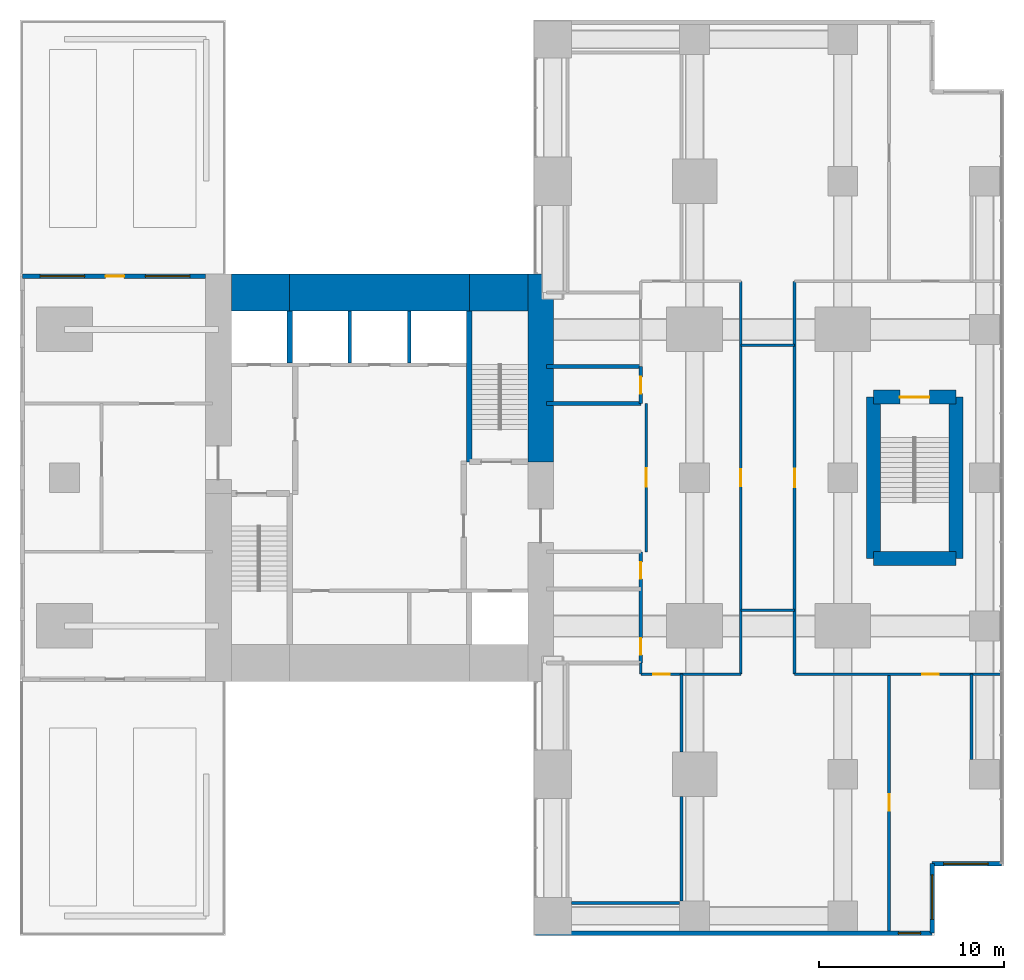
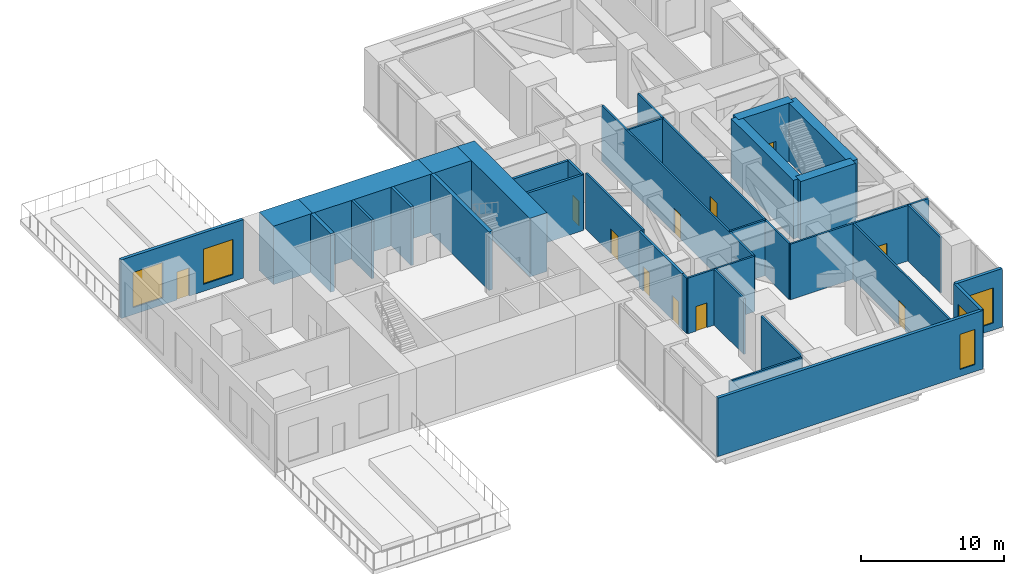
# One storey, part 8 of 10: 33 walls, 11 doors, 5 windows, 16 openings.
"""IFC4 building model written with IfcOpenShell, lengths in metres."""

from ifc_helpers import new_model, si_unit, direction, frame, frame_2d, origin, place, context, subcontext, project, spatial, rectangle, extrude, material, layer, layer_set, type_object, element, fill, save


model = new_model("IFC4")

# Units and contexts
model_context = context("Model", 3, precision=1e-05, world=origin(), true_north=direction((0.0, 1.0)))
body_context = subcontext(model_context, "Body", "Model", "MODEL_VIEW")
ifc_project = project(units=[si_unit("LENGTHUNIT", "METRE"), si_unit("AREAUNIT", "SQUARE_METRE"), si_unit("VOLUMEUNIT", "CUBIC_METRE"), si_unit("PLANEANGLEUNIT", "RADIAN"), si_unit("MASSUNIT", "GRAM", prefix="KILO")], contexts=[model_context])

# Site, building, storey
site_placement = place(None, origin())
site = spatial("IfcSite", under=ifc_project, at=site_placement, CompositionType="ELEMENT")
building_placement = place(site_placement, origin())
building = spatial("IfcBuilding", under=site, at=building_placement, Name="Cleftline Residences", CompositionType="ELEMENT")
storey_placement = place(building_placement, frame((0.0, 0.0, 225.39990234375)))
storey = spatial("IfcBuildingStorey", under=building, at=storey_placement, Name="L59", CompositionType="ELEMENT", Elevation=225.39990234375)

# Walls
ifc_material_1 = material(Name="Concrete B70", Category="concrete")
ifc_layer_1 = layer(ifc_material_1, 1.39990234375)
ifc_layer_set_1 = layer_set([ifc_layer_1], Name="CORE WALL 1400")
wall_type_1 = type_object("IfcWallType", Name="CORE WALL 1400", PredefinedType="SHEAR", material=ifc_layer_set_1)
wall_1_placement = place(storey_placement, frame((41.699951171875, 24.85009765625, 0.0), z_axis=(0.0, 0.0, 1.0), x_axis=(0.0, 1.0, 0.0)))
element("IfcWall", 1, at=wall_1_placement, inside=storey, type_object=wall_type_1, Name="Core wall E1", PredefinedType="SHEAR", context=body_context, shape_type="SweptSolid", body=[
    extrude(rectangle(XDim=10.14990234375, YDim=1.39990234375, at=frame_2d((5.074951171875, 0.0))), origin(), (0.0, 0.0, 1.0), 5.0),
])
ifc_material_2 = material(Name="Concrete B70", Category="concrete")
ifc_layer_2 = layer(ifc_material_2, 2.0)
ifc_layer_set_2 = layer_set([ifc_layer_2], Name="CORE WALL 2000")
wall_type_2 = type_object("IfcWallType", Name="CORE WALL 2000", PredefinedType="SHEAR", material=ifc_layer_set_2)
wall_2_placement = place(storey_placement, frame((25.0, 34.0, 0.0), z_axis=(0.0, 0.0, 1.0), x_axis=(1.0, 0.0, 0.0)))
element("IfcWall", 2, at=wall_2_placement, inside=storey, type_object=wall_type_2, Name="Core wall N1", PredefinedType="SHEAR", context=body_context, shape_type="SweptSolid", body=[
    extrude(rectangle(XDim=3.14990234375, YDim=2.0, at=frame_2d((1.574951171875, 0.0))), origin(), (0.0, 0.0, 1.0), 5.0),
])
wall_3_placement = place(storey_placement, frame((28.14990234375, 34.0, 0.0), z_axis=(0.0, 0.0, 1.0), x_axis=(1.0, 0.0, 0.0)))
element("IfcWall", 3, at=wall_3_placement, inside=storey, type_object=wall_type_2, Name="Core wall N2", PredefinedType="SHEAR", context=body_context, shape_type="SweptSolid", body=[
    extrude(rectangle(XDim=9.7001953125, YDim=2.0, at=frame_2d((4.85009765625, 0.0))), origin(), (0.0, 0.0, 1.0), 5.0),
])
wall_4_placement = place(storey_placement, frame((37.85009765625, 34.0, 0.0), z_axis=(0.0, 0.0, 1.0), x_axis=(1.0, 0.0, 0.0)))
element("IfcWall", 4, at=wall_4_placement, inside=storey, type_object=wall_type_2, Name="Core wall N3", PredefinedType="SHEAR", context=body_context, shape_type="SweptSolid", body=[
    extrude(rectangle(XDim=3.14990234375, YDim=2.0, at=frame_2d((1.574951171875, 0.0))), origin(), (0.0, 0.0, 1.0), 5.0),
])
ifc_material_3 = material(Name="Concrete B70", Category="concrete")
ifc_layer_3 = layer(ifc_material_3, 0.300048828125)
ifc_layer_set_3 = layer_set([ifc_layer_3], Name="CORE WALL 300")
wall_type_3 = type_object("IfcWallType", Name="CORE WALL 300", PredefinedType="SHEAR", material=ifc_layer_set_3)
wall_5_placement = place(storey_placement, frame((37.85009765625, 24.85009765625, 0.0), z_axis=(0.0, 0.0, 1.0), x_axis=(0.0, 1.0, 0.0)))
element("IfcWall", 5, at=wall_5_placement, inside=storey, type_object=wall_type_3, Name="Core wall SB-W", PredefinedType="SHEAR", context=body_context, shape_type="SweptSolid", body=[
    extrude(rectangle(XDim=8.14990234375, YDim=0.300048828125, at=frame_2d((4.074951171875, 0.0))), origin(), (0.0, 0.0, 1.0), 5.0),
])
wall_6_placement = place(storey_placement, frame((28.14990234375, 30.199951171875, 0.0), z_axis=(0.0, 0.0, 1.0), x_axis=(0.0, 1.0, 0.0)))
element("IfcWall", 6, at=wall_6_placement, inside=storey, type_object=wall_type_3, Name="Lift shaft wall", PredefinedType="SHEAR", context=body_context, shape_type="SweptSolid", body=[
    extrude(rectangle(XDim=2.800048828125, YDim=0.300048828125, at=frame_2d((1.39990234375, 0.0))), origin(), (0.0, 0.0, 1.0), 5.0),
])

# Wall, opening, window
ifc_material_4 = material(Name="Rendered reinforced concrete blockwork", Category="masonry")
ifc_layer_4 = layer(ifc_material_4, 0.25)
ifc_layer_set_4 = layer_set([ifc_layer_4], Name="EXTERNAL WALL 250")
wall_type_4 = type_object("IfcWallType", Name="EXTERNAL WALL 250", PredefinedType="SOLIDWALL", material=ifc_layer_set_4)
wall_7_placement = place(storey_placement, frame((41.425048828125, -0.574951171875, 0.0), z_axis=(0.0, 0.0, 1.0), x_axis=(1.0, 0.0, 0.0)))
wall_7 = element("IfcWall", 7, at=wall_7_placement, inside=storey, type_object=wall_type_4, Name="External wall", PredefinedType="SOLIDWALL", context=body_context, shape_type="SweptSolid", body=[
    extrude(rectangle(XDim=21.39990234375, YDim=0.25, at=frame_2d((10.699951171875, 0.0))), origin(), (0.0, 0.0, 1.0), 5.0),
])
opening_1_placement = place(wall_7_placement, frame((19.574951171875, 0.0, 0.60009765625)))
opening_1 = element("IfcOpeningElement", 8, at=opening_1_placement, cuts=wall_7, Name="Opening W5", PredefinedType="OPENING", context=body_context, shape_type="SweptSolid", body=[
    extrude(rectangle(XDim=1.199951171875, YDim=3.0, at=frame_2d((0.60009765625, 1.5))), frame((0.0, 0.135009765625, 0.0), z_axis=(0.0, -1.0, 0.0), x_axis=(1.0, 0.0, 0.0)), (0.0, 0.0, 1.0), 0.27001953125),
])
ifc_material_5 = material(Name="Aluminium frame, clear double glazing", Category="aluminium")
window_type_1 = type_object("IfcWindowType", Name="WINDOW 1200X3000", PartitioningType="DOUBLE_PANEL_VERTICAL", PredefinedType="WINDOW", material=ifc_material_5)
window_1_placement = place(opening_1_placement, origin())
window_1 = element("IfcWindow", 9, at=window_1_placement, inside=storey, type_object=window_type_1, Name="Window", OverallHeight=3.0, OverallWidth=1.199951171875, PartitioningType="SINGLE_PANEL", PredefinedType="WINDOW", context=body_context, shape_type="SweptSolid", body=[
    extrude(rectangle(XDim=1.199951171875, YDim=3.0, at=frame_2d((0.60009765625, 1.5))), frame((0.0, 0.030029296875, 0.0), z_axis=(0.0, -1.0, 0.0), x_axis=(1.0, 0.0, 0.0)), (0.0, 0.0, 1.0), 0.06005859375),
])
fill(opening_1, window_1)

wall_8_placement = place(storey_placement, frame((62.824951171875, -0.574951171875, 0.0), z_axis=(0.0, 0.0, 1.0), x_axis=(0.0, 1.0, 0.0)))
wall_8 = element("IfcWall", 10, at=wall_8_placement, inside=storey, type_object=wall_type_4, Name="External wall", PredefinedType="SOLIDWALL", context=body_context, shape_type="SweptSolid", body=[
    extrude(rectangle(XDim=3.75, YDim=0.25, at=frame_2d((1.875, 0.0))), origin(), (0.0, 0.0, 1.0), 5.0),
])
opening_2_placement = place(wall_8_placement, frame((0.737548828125, 0.0, 0.60009765625)))
opening_2 = element("IfcOpeningElement", 11, at=opening_2_placement, cuts=wall_8, Name="Opening W3", PredefinedType="OPENING", context=body_context, shape_type="SweptSolid", body=[
    extrude(rectangle(XDim=2.39990234375, YDim=3.0, at=frame_2d((1.199951171875, 1.5))), frame((0.0, 0.135009765625, 0.0), z_axis=(0.0, -1.0, 0.0), x_axis=(1.0, 0.0, 0.0)), (0.0, 0.0, 1.0), 0.27001953125),
])
ifc_material_6 = material(Name="Aluminium frame, clear double glazing", Category="aluminium")
window_type_2 = type_object("IfcWindowType", Name="WINDOW 2400X3000", PartitioningType="DOUBLE_PANEL_VERTICAL", PredefinedType="WINDOW", material=ifc_material_6)
window_2_placement = place(opening_2_placement, origin())
window_2 = element("IfcWindow", 12, at=window_2_placement, inside=storey, type_object=window_type_2, Name="Window", OverallHeight=3.0, OverallWidth=2.39990234375, PartitioningType="SINGLE_PANEL", PredefinedType="WINDOW", context=body_context, shape_type="SweptSolid", body=[
    extrude(rectangle(XDim=2.39990234375, YDim=3.0, at=frame_2d((1.199951171875, 1.5))), frame((0.0, 0.030029296875, 0.0), z_axis=(0.0, -1.0, 0.0), x_axis=(1.0, 0.0, 0.0)), (0.0, 0.0, 1.0), 0.06005859375),
])
fill(opening_2, window_2)

wall_9_placement = place(storey_placement, frame((62.824951171875, 3.175048828125, 0.0), z_axis=(0.0, 0.0, 1.0), x_axis=(1.0, 0.0, 0.0)))
wall_9 = element("IfcWall", 13, at=wall_9_placement, inside=storey, type_object=wall_type_4, Name="External wall", PredefinedType="SOLIDWALL", context=body_context, shape_type="SweptSolid", body=[
    extrude(rectangle(XDim=3.75, YDim=0.25, at=frame_2d((1.875, 0.0))), origin(), (0.0, 0.0, 1.0), 5.0),
])
opening_3_placement = place(wall_9_placement, frame((0.612548828125, 0.0, 0.60009765625)))
opening_3 = element("IfcOpeningElement", 14, at=opening_3_placement, cuts=wall_9, Name="Opening W3", PredefinedType="OPENING", context=body_context, shape_type="SweptSolid", body=[
    extrude(rectangle(XDim=2.39990234375, YDim=3.0, at=frame_2d((1.199951171875, 1.5))), frame((0.0, 0.135009765625, 0.0), z_axis=(0.0, -1.0, 0.0), x_axis=(1.0, 0.0, 0.0)), (0.0, 0.0, 1.0), 0.27001953125),
])
window_3_placement = place(opening_3_placement, origin())
window_3 = element("IfcWindow", 15, at=window_3_placement, inside=storey, type_object=window_type_2, Name="Window", OverallHeight=3.0, OverallWidth=2.39990234375, PartitioningType="SINGLE_PANEL", PredefinedType="WINDOW", context=body_context, shape_type="SweptSolid", body=[
    extrude(rectangle(XDim=2.39990234375, YDim=3.0, at=frame_2d((1.199951171875, 1.5))), frame((0.0, 0.030029296875, 0.0), z_axis=(0.0, -1.0, 0.0), x_axis=(1.0, 0.0, 0.0)), (0.0, 0.0, 1.0), 0.06005859375),
])
fill(opening_3, window_3)

# Wall, openings, door, windows
wall_10_placement = place(storey_placement, frame((23.60009765625, 34.875, 0.0), z_axis=(0.0, 0.0, 1.0), x_axis=(-1.0, 0.0, 0.0)))
wall_10 = element("IfcWall", 16, at=wall_10_placement, inside=storey, type_object=wall_type_4, Name="External wall", PredefinedType="SOLIDWALL", context=body_context, shape_type="SweptSolid", body=[
    extrude(rectangle(XDim=9.875, YDim=0.25, at=frame_2d((4.9375, 0.0))), origin(), (0.0, 0.0, 1.0), 5.0),
])
opening_4_placement = place(wall_10_placement, frame((4.375, 0.0, 0.0)))
opening_4 = element("IfcOpeningElement", 17, at=opening_4_placement, cuts=wall_10, Name="Opening DT1", PredefinedType="OPENING", context=body_context, shape_type="SweptSolid", body=[
    extrude(rectangle(XDim=1.0, YDim=2.39990234375, at=frame_2d((0.5, 1.199951171875))), frame((0.0, 0.135009765625, 0.0), z_axis=(0.0, -1.0, 0.0), x_axis=(1.0, 0.0, 0.0)), (0.0, 0.0, 1.0), 0.27001953125),
])
opening_5_placement = place(wall_10_placement, frame((0.83740234375, 0.0, 0.60009765625)))
opening_5 = element("IfcOpeningElement", 18, at=opening_5_placement, cuts=wall_10, Name="Opening W3", PredefinedType="OPENING", context=body_context, shape_type="SweptSolid", body=[
    extrude(rectangle(XDim=2.39990234375, YDim=3.0, at=frame_2d((1.199951171875, 1.5))), frame((0.0, 0.135009765625, 0.0), z_axis=(0.0, -1.0, 0.0), x_axis=(1.0, 0.0, 0.0)), (0.0, 0.0, 1.0), 0.27001953125),
])
opening_6_placement = place(wall_10_placement, frame((6.512451171875, 0.0, 0.60009765625)))
opening_6 = element("IfcOpeningElement", 19, at=opening_6_placement, cuts=wall_10, Name="Opening W3", PredefinedType="OPENING", context=body_context, shape_type="SweptSolid", body=[
    extrude(rectangle(XDim=2.39990234375, YDim=3.0, at=frame_2d((1.199951171875, 1.5))), frame((0.0, 0.135009765625, 0.0), z_axis=(0.0, -1.0, 0.0), x_axis=(1.0, 0.0, 0.0)), (0.0, 0.0, 1.0), 0.27001953125),
])
ifc_material_7 = material(Name="Aluminium and laminated glass", Category="aluminium")
door_type_1 = type_object("IfcDoorType", Name="TERRACE DOOR 1000X2400", OperationType="SINGLE_SWING_LEFT", PredefinedType="DOOR", material=ifc_material_7)
door_1_placement = place(opening_4_placement, origin())
door_1 = element("IfcDoor", 20, at=door_1_placement, inside=storey, type_object=door_type_1, Name="Terrace door", OperationType="SINGLE_SWING_RIGHT", OverallHeight=2.39990234375, OverallWidth=1.0, PredefinedType="DOOR", context=body_context, shape_type="SweptSolid", body=[
    extrude(rectangle(XDim=1.0, YDim=2.39990234375, at=frame_2d((0.5, 1.199951171875))), frame((0.0, 0.02490234375, 0.0), z_axis=(0.0, -1.0, 0.0), x_axis=(1.0, 0.0, 0.0)), (0.0, 0.0, 1.0), 0.050048828125),
])
fill(opening_4, door_1)
window_4_placement = place(opening_5_placement, origin())
window_4 = element("IfcWindow", 21, at=window_4_placement, inside=storey, type_object=window_type_2, Name="Window", OverallHeight=3.0, OverallWidth=2.39990234375, PartitioningType="SINGLE_PANEL", PredefinedType="WINDOW", context=body_context, shape_type="SweptSolid", body=[
    extrude(rectangle(XDim=2.39990234375, YDim=3.0, at=frame_2d((1.199951171875, 1.5))), frame((0.0, 0.030029296875, 0.0), z_axis=(0.0, -1.0, 0.0), x_axis=(1.0, 0.0, 0.0)), (0.0, 0.0, 1.0), 0.06005859375),
])
fill(opening_5, window_4)
window_5_placement = place(opening_6_placement, origin())
window_5 = element("IfcWindow", 22, at=window_5_placement, inside=storey, type_object=window_type_2, Name="Window", OverallHeight=3.0, OverallWidth=2.39990234375, PartitioningType="SINGLE_PANEL", PredefinedType="WINDOW", context=body_context, shape_type="SweptSolid", body=[
    extrude(rectangle(XDim=2.39990234375, YDim=3.0, at=frame_2d((1.199951171875, 1.5))), frame((0.0, 0.030029296875, 0.0), z_axis=(0.0, -1.0, 0.0), x_axis=(1.0, 0.0, 0.0)), (0.0, 0.0, 1.0), 0.06005859375),
])
fill(opening_6, window_5)

# Walls
ifc_material_8 = material(Name="Concrete blockwork, fire rated", Category="masonry")
ifc_layer_5 = layer(ifc_material_8, 0.199951171875)
ifc_layer_set_5 = layer_set([ifc_layer_5], Name="FIRE WALL 200")
wall_type_5 = type_object("IfcWallType", Name="FIRE WALL 200", PredefinedType="PARTITIONING", material=ifc_layer_set_5)
for number, where, z_axis, x_axis, name in (
    (23, (42.0, 28.0, 0.0), (0.0, 0.0, 1.0), (1.0, 0.0, 0.0), "Fire separating wall"),
    (24, (42.0, 30.0, 0.0), (0.0, 0.0, 1.0), (1.0, 0.0, 0.0), "Fire separating wall"),
):
    element("IfcWall", number, at=place(storey_placement, frame(where, z_axis=z_axis, x_axis=x_axis)), inside=storey, type_object=wall_type_5, Name=name, PredefinedType="PARTITIONING", context=body_context, shape_type="SweptSolid", body=[
        extrude(rectangle(XDim=5.10009765625, YDim=0.199951171875, at=frame_2d((2.550048828125, 0.0))), origin(), (0.0, 0.0, 1.0), 4.75),
    ])

# Wall, openings, doors
wall_11_placement = place(storey_placement, frame((47.10009765625, 14.0, 0.0), z_axis=(0.0, 0.0, 1.0), x_axis=(0.0, 1.0, 0.0)))
wall_11 = element("IfcWall", 25, at=wall_11_placement, inside=storey, type_object=wall_type_5, Name="Fire separating wall", PredefinedType="PARTITIONING", context=body_context, shape_type="SweptSolid", body=[
    extrude(rectangle(XDim=6.0, YDim=0.199951171875, at=frame_2d((3.0, 0.0))), origin(), (0.0, 0.0, 1.0), 4.75),
])
opening_7_placement = place(wall_11_placement, frame((0.43994140625, 0.0, 0.0)))
opening_7 = element("IfcOpeningElement", 26, at=opening_7_placement, cuts=wall_11, Name="Opening D1F30", PredefinedType="OPENING", context=body_context, shape_type="SweptSolid", body=[
    extrude(rectangle(XDim=0.89990234375, YDim=2.10009765625, at=frame_2d((0.449951171875, 1.050048828125))), frame((0.0, 0.10986328125, 0.0), z_axis=(0.0, -1.0, 0.0), x_axis=(1.0, 0.0, 0.0)), (0.0, 0.0, 1.0), 0.219970703125),
])
opening_8_placement = place(wall_11_placement, frame((4.5400390625, 0.0, 0.0)))
opening_8 = element("IfcOpeningElement", 27, at=opening_8_placement, cuts=wall_11, Name="Opening D1F30", PredefinedType="OPENING", context=body_context, shape_type="SweptSolid", body=[
    extrude(rectangle(XDim=0.89990234375, YDim=2.10009765625, at=frame_2d((0.449951171875, 1.050048828125))), frame((0.0, 0.10986328125, 0.0), z_axis=(0.0, -1.0, 0.0), x_axis=(1.0, 0.0, 0.0)), (0.0, 0.0, 1.0), 0.219970703125),
])
ifc_material_9 = material(Name="Timber veneer on solid core", Category="wood")
door_type_2 = type_object("IfcDoorType", Name="DOOR 900X2100 EI 30", OperationType="SINGLE_SWING_LEFT", PredefinedType="DOOR", material=ifc_material_9)
door_2_placement = place(opening_7_placement, origin())
door_2 = element("IfcDoor", 28, at=door_2_placement, inside=storey, type_object=door_type_2, Name="Door to male wc", OperationType="SINGLE_SWING_RIGHT", OverallHeight=2.10009765625, OverallWidth=0.89990234375, PredefinedType="DOOR", context=body_context, shape_type="SweptSolid", body=[
    extrude(rectangle(XDim=0.89990234375, YDim=2.10009765625, at=frame_2d((0.449951171875, 1.050048828125))), frame((0.0, 0.02490234375, 0.0), z_axis=(0.0, -1.0, 0.0), x_axis=(1.0, 0.0, 0.0)), (0.0, 0.0, 1.0), 0.050048828125),
])
fill(opening_7, door_2)
door_3_placement = place(opening_8_placement, origin())
door_3 = element("IfcDoor", 29, at=door_3_placement, inside=storey, type_object=door_type_2, Name="Door to female wc", OperationType="SINGLE_SWING_LEFT", OverallHeight=2.10009765625, OverallWidth=0.89990234375, PredefinedType="DOOR", context=body_context, shape_type="SweptSolid", body=[
    extrude(rectangle(XDim=0.89990234375, YDim=2.10009765625, at=frame_2d((0.449951171875, 1.050048828125))), frame((0.0, 0.02490234375, 0.0), z_axis=(0.0, -1.0, 0.0), x_axis=(1.0, 0.0, 0.0)), (0.0, 0.0, 1.0), 0.050048828125),
])
fill(opening_8, door_3)

# Wall, opening, door
wall_12_placement = place(storey_placement, frame((47.10009765625, 28.0, 0.0), z_axis=(0.0, 0.0, 1.0), x_axis=(0.0, 1.0, 0.0)))
wall_12 = element("IfcWall", 30, at=wall_12_placement, inside=storey, type_object=wall_type_5, Name="Fire separating wall", PredefinedType="PARTITIONING", context=body_context, shape_type="SweptSolid", body=[
    extrude(rectangle(XDim=2.0, YDim=0.199951171875, at=frame_2d((1.0, 0.0))), origin(), (0.0, 0.0, 1.0), 4.75),
])
opening_9_placement = place(wall_12_placement, frame((0.5400390625, 0.0, 0.0)))
opening_9 = element("IfcOpeningElement", 31, at=opening_9_placement, cuts=wall_12, Name="Opening D1F30", PredefinedType="OPENING", context=body_context, shape_type="SweptSolid", body=[
    extrude(rectangle(XDim=0.89990234375, YDim=2.10009765625, at=frame_2d((0.449951171875, 1.050048828125))), frame((0.0, 0.10986328125, 0.0), z_axis=(0.0, -1.0, 0.0), x_axis=(1.0, 0.0, 0.0)), (0.0, 0.0, 1.0), 0.219970703125),
])
door_4_placement = place(opening_9_placement, origin())
door_4 = element("IfcDoor", 32, at=door_4_placement, inside=storey, type_object=door_type_2, Name="Door to accessible wc", OperationType="SINGLE_SWING_RIGHT", OverallHeight=2.10009765625, OverallWidth=0.89990234375, PredefinedType="DOOR", context=body_context, shape_type="SweptSolid", body=[
    extrude(rectangle(XDim=0.89990234375, YDim=2.10009765625, at=frame_2d((0.449951171875, 1.050048828125))), frame((0.0, 0.02490234375, 0.0), z_axis=(0.0, -1.0, 0.0), x_axis=(1.0, 0.0, 0.0)), (0.0, 0.0, 1.0), 0.050048828125),
])
fill(opening_9, door_4)

# Wall
ifc_material_10 = material(Name="Gypsum board on steel studs", Category="steel")
ifc_layer_6 = layer(ifc_material_10, 0.14990234375)
ifc_layer_set_6 = layer_set([ifc_layer_6], Name="PARTITION 150")
wall_type_6 = type_object("IfcWallType", Name="PARTITION 150", PredefinedType="PARTITIONING", material=ifc_layer_set_6)
wall_13_placement = place(storey_placement, frame((43.35009765625, 1.050048828125, 0.0), z_axis=(0.0, 0.0, 1.0), x_axis=(1.0, 0.0, 0.0)))
element("IfcWall", 33, at=wall_13_placement, inside=storey, type_object=wall_type_6, Name="Partition", PredefinedType="PARTITIONING", context=body_context, shape_type="SweptSolid", body=[
    extrude(rectangle(XDim=5.849853515625, YDim=0.14990234375, at=frame_2d((2.9248046875, 0.0))), origin(), (0.0, 0.0, 1.0), 4.75),
])

# Wall, opening, door
wall_14_placement = place(storey_placement, frame((47.10009765625, 13.39990234375, 0.0), z_axis=(0.0, 0.0, 1.0), x_axis=(1.0, 0.0, 0.0)))
wall_14 = element("IfcWall", 34, at=wall_14_placement, inside=storey, type_object=wall_type_6, Name="Partition", PredefinedType="PARTITIONING", context=body_context, shape_type="SweptSolid", body=[
    extrude(rectangle(XDim=5.39990234375, YDim=0.14990234375, at=frame_2d((2.699951171875, 0.0))), origin(), (0.0, 0.0, 1.0), 4.75),
])
opening_10_placement = place(wall_14_placement, frame((0.659912109375, 0.0, 0.0)))
opening_10 = element("IfcOpeningElement", 35, at=opening_10_placement, cuts=wall_14, Name="Opening D1", PredefinedType="OPENING", context=body_context, shape_type="SweptSolid", body=[
    extrude(rectangle(XDim=0.89990234375, YDim=2.10009765625, at=frame_2d((0.449951171875, 1.050048828125))), frame((0.0, 0.0849609375, 0.0), z_axis=(0.0, -1.0, 0.0), x_axis=(1.0, 0.0, 0.0)), (0.0, 0.0, 1.0), 0.169921875),
])
ifc_material_11 = material(Name="Timber veneer on solid core", Category="wood")
door_type_3 = type_object("IfcDoorType", Name="DOOR 900X2100", OperationType="SINGLE_SWING_LEFT", PredefinedType="DOOR", material=ifc_material_11)
door_5_placement = place(opening_10_placement, origin())
door_5 = element("IfcDoor", 36, at=door_5_placement, inside=storey, type_object=door_type_3, Name="Door to orangery lounge", OperationType="SINGLE_SWING_RIGHT", OverallHeight=2.10009765625, OverallWidth=0.89990234375, PredefinedType="DOOR", context=body_context, shape_type="SweptSolid", body=[
    extrude(rectangle(XDim=0.89990234375, YDim=2.10009765625, at=frame_2d((0.449951171875, 1.050048828125))), frame((0.0, 0.02490234375, 0.0), z_axis=(0.0, -1.0, 0.0), x_axis=(1.0, 0.0, 0.0)), (0.0, 0.0, 1.0), 0.050048828125),
])
fill(opening_10, door_5)

wall_15_placement = place(storey_placement, frame((55.39990234375, 13.39990234375, 0.0), z_axis=(0.0, 0.0, 1.0), x_axis=(1.0, 0.0, 0.0)))
wall_15 = element("IfcWall", 37, at=wall_15_placement, inside=storey, type_object=wall_type_6, Name="Partition", PredefinedType="PARTITIONING", context=body_context, shape_type="SweptSolid", body=[
    extrude(rectangle(XDim=11.1611328125, YDim=0.14990234375, at=frame_2d((5.58056640625, 0.0))), origin(), (0.0, 0.0, 1.0), 4.75),
])
opening_11_placement = place(wall_15_placement, frame((6.8798828125, 0.0, 0.0)))
opening_11 = element("IfcOpeningElement", 38, at=opening_11_placement, cuts=wall_15, Name="Opening D1", PredefinedType="OPENING", context=body_context, shape_type="SweptSolid", body=[
    extrude(rectangle(XDim=0.89990234375, YDim=2.10009765625, at=frame_2d((0.449951171875, 1.050048828125))), frame((0.0, 0.0849609375, 0.0), z_axis=(0.0, -1.0, 0.0), x_axis=(1.0, 0.0, 0.0)), (0.0, 0.0, 1.0), 0.169921875),
])
door_6_placement = place(opening_11_placement, origin())
door_6 = element("IfcDoor", 39, at=door_6_placement, inside=storey, type_object=door_type_3, Name="Door to garden library", OperationType="SINGLE_SWING_LEFT", OverallHeight=2.10009765625, OverallWidth=0.89990234375, PredefinedType="DOOR", context=body_context, shape_type="SweptSolid", body=[
    extrude(rectangle(XDim=0.89990234375, YDim=2.10009765625, at=frame_2d((0.449951171875, 1.050048828125))), frame((0.0, 0.02490234375, 0.0), z_axis=(0.0, -1.0, 0.0), x_axis=(1.0, 0.0, 0.0)), (0.0, 0.0, 1.0), 0.050048828125),
])
fill(opening_11, door_6)

# Walls
for number, where, z_axis, x_axis, name in (
    (40, (52.5, 16.85009765625, 0.0), (0.0, 0.0, 1.0), (1.0, 0.0, 0.0), "Partition"),
    (41, (52.5, 31.14990234375, 0.0), (0.0, 0.0, 1.0), (1.0, 0.0, 0.0), "Partition"),
):
    element("IfcWall", number, at=place(storey_placement, frame(where, z_axis=z_axis, x_axis=x_axis)), inside=storey, type_object=wall_type_6, Name=name, PredefinedType="PARTITIONING", context=body_context, shape_type="SweptSolid", body=[
        extrude(rectangle(XDim=2.89990234375, YDim=0.14990234375, at=frame_2d((1.449951171875, 0.0))), origin(), (0.0, 0.0, 1.0), 4.75),
    ])
wall_16_placement = place(storey_placement, frame((47.10009765625, 13.39990234375, 0.0), z_axis=(0.0, 0.0, 1.0), x_axis=(0.0, 1.0, 0.0)))
element("IfcWall", 42, at=wall_16_placement, inside=storey, type_object=wall_type_6, Name="Partition", PredefinedType="PARTITIONING", context=body_context, shape_type="SweptSolid", body=[
    extrude(rectangle(XDim=0.60009765625, YDim=0.14990234375, at=frame_2d((0.300048828125, 0.0))), origin(), (0.0, 0.0, 1.0), 4.75),
])

# Wall, opening, door
wall_17_placement = place(storey_placement, frame((47.39990234375, 20.0, 0.0), z_axis=(0.0, 0.0, 1.0), x_axis=(0.0, 1.0, 0.0)))
wall_17 = element("IfcWall", 43, at=wall_17_placement, inside=storey, type_object=wall_type_6, Name="Partition", PredefinedType="PARTITIONING", context=body_context, shape_type="SweptSolid", body=[
    extrude(rectangle(XDim=8.0, YDim=0.14990234375, at=frame_2d((4.0, 0.0))), origin(), (0.0, 0.0, 1.0), 4.75),
])
opening_12_placement = place(wall_17_placement, frame((3.5, 0.0, 0.0)))
opening_12 = element("IfcOpeningElement", 44, at=opening_12_placement, cuts=wall_17, Name="Opening D2F30", PredefinedType="OPENING", context=body_context, shape_type="SweptSolid", body=[
    extrude(rectangle(XDim=1.0, YDim=2.10009765625, at=frame_2d((0.5, 1.050048828125))), frame((0.0, 0.0849609375, 0.0), z_axis=(0.0, -1.0, 0.0), x_axis=(1.0, 0.0, 0.0)), (0.0, 0.0, 1.0), 0.169921875),
])
ifc_material_12 = material(Name="Timber veneer on solid core", Category="wood")
door_type_4 = type_object("IfcDoorType", Name="DOOR 1000X2100 EI 30", OperationType="SINGLE_SWING_LEFT", PredefinedType="DOOR", material=ifc_material_12)
door_7_placement = place(opening_12_placement, origin())
door_7 = element("IfcDoor", 45, at=door_7_placement, inside=storey, type_object=door_type_4, Name="Door to corridor", OperationType="SINGLE_SWING_LEFT", OverallHeight=2.10009765625, OverallWidth=1.0, PredefinedType="DOOR", context=body_context, shape_type="SweptSolid", body=[
    extrude(rectangle(XDim=1.0, YDim=2.10009765625, at=frame_2d((0.5, 1.050048828125))), frame((0.0, 0.02490234375, 0.0), z_axis=(0.0, -1.0, 0.0), x_axis=(1.0, 0.0, 0.0)), (0.0, 0.0, 1.0), 0.050048828125),
])
fill(opening_12, door_7)

# Walls
wall_18_placement = place(storey_placement, frame((49.300048828125, 1.14990234375, 0.0), z_axis=(0.0, 0.0, 1.0), x_axis=(0.0, 1.0, 0.0)))
element("IfcWall", 46, at=wall_18_placement, inside=storey, type_object=wall_type_6, Name="Partition", PredefinedType="PARTITIONING", context=body_context, shape_type="SweptSolid", body=[
    extrude(rectangle(XDim=5.650146484375, YDim=0.14990234375, at=frame_2d((2.8251953125, 0.0))), origin(), (0.0, 0.0, 1.0), 4.75),
])
wall_19_placement = place(storey_placement, frame((49.300048828125, 9.199951171875, 0.0), z_axis=(0.0, 0.0, 1.0), x_axis=(0.0, 1.0, 0.0)))
element("IfcWall", 47, at=wall_19_placement, inside=storey, type_object=wall_type_6, Name="Partition", PredefinedType="PARTITIONING", context=body_context, shape_type="SweptSolid", body=[
    extrude(rectangle(XDim=4.199951171875, YDim=0.14990234375, at=frame_2d((2.10009765625, 0.0))), origin(), (0.0, 0.0, 1.0), 4.75),
])

# Wall, opening, door
wall_20_placement = place(storey_placement, frame((52.5, 13.39990234375, 0.0), z_axis=(0.0, 0.0, 1.0), x_axis=(0.0, 1.0, 0.0)))
wall_20 = element("IfcWall", 48, at=wall_20_placement, inside=storey, type_object=wall_type_6, Name="Partition", PredefinedType="PARTITIONING", context=body_context, shape_type="SweptSolid", body=[
    extrude(rectangle(XDim=21.2001953125, YDim=0.14990234375, at=frame_2d((10.60009765625, 0.0))), origin(), (0.0, 0.0, 1.0), 4.75),
])
opening_13_placement = place(wall_20_placement, frame((10.14990234375, 0.0, 0.0)))
opening_13 = element("IfcOpeningElement", 49, at=opening_13_placement, cuts=wall_20, Name="Opening D1", PredefinedType="OPENING", context=body_context, shape_type="SweptSolid", body=[
    extrude(rectangle(XDim=0.89990234375, YDim=2.10009765625, at=frame_2d((0.449951171875, 1.050048828125))), frame((0.0, 0.0849609375, 0.0), z_axis=(0.0, -1.0, 0.0), x_axis=(1.0, 0.0, 0.0)), (0.0, 0.0, 1.0), 0.169921875),
])
door_8_placement = place(opening_13_placement, origin())
door_8 = element("IfcDoor", 50, at=door_8_placement, inside=storey, type_object=door_type_3, Name="Door to sky garden lounge", OperationType="SINGLE_SWING_LEFT", OverallHeight=2.10009765625, OverallWidth=0.89990234375, PredefinedType="DOOR", context=body_context, shape_type="SweptSolid", body=[
    extrude(rectangle(XDim=0.89990234375, YDim=2.10009765625, at=frame_2d((0.449951171875, 1.050048828125))), frame((0.0, 0.02490234375, 0.0), z_axis=(0.0, -1.0, 0.0), x_axis=(1.0, 0.0, 0.0)), (0.0, 0.0, 1.0), 0.050048828125),
])
fill(opening_13, door_8)

wall_21_placement = place(storey_placement, frame((55.39990234375, 13.39990234375, 0.0), z_axis=(0.0, 0.0, 1.0), x_axis=(0.0, 1.0, 0.0)))
wall_21 = element("IfcWall", 51, at=wall_21_placement, inside=storey, type_object=wall_type_6, Name="Partition", PredefinedType="PARTITIONING", context=body_context, shape_type="SweptSolid", body=[
    extrude(rectangle(XDim=21.2001953125, YDim=0.14990234375, at=frame_2d((10.60009765625, 0.0))), origin(), (0.0, 0.0, 1.0), 4.75),
])
opening_14_placement = place(wall_21_placement, frame((10.090087890625, 0.0, 0.0)))
opening_14 = element("IfcOpeningElement", 52, at=opening_14_placement, cuts=wall_21, Name="Opening D2F30", PredefinedType="OPENING", context=body_context, shape_type="SweptSolid", body=[
    extrude(rectangle(XDim=1.0, YDim=2.10009765625, at=frame_2d((0.5, 1.050048828125))), frame((0.0, 0.0849609375, 0.0), z_axis=(0.0, -1.0, 0.0), x_axis=(1.0, 0.0, 0.0)), (0.0, 0.0, 1.0), 0.169921875),
])
door_9_placement = place(opening_14_placement, origin())
door_9 = element("IfcDoor", 53, at=door_9_placement, inside=storey, type_object=door_type_4, Name="Door to stair e lobby", OperationType="SINGLE_SWING_RIGHT", OverallHeight=2.10009765625, OverallWidth=1.0, PredefinedType="DOOR", context=body_context, shape_type="SweptSolid", body=[
    extrude(rectangle(XDim=1.0, YDim=2.10009765625, at=frame_2d((0.5, 1.050048828125))), frame((0.0, 0.02490234375, 0.0), z_axis=(0.0, -1.0, 0.0), x_axis=(1.0, 0.0, 0.0)), (0.0, 0.0, 1.0), 0.050048828125),
])
fill(opening_14, door_9)

wall_22_placement = place(storey_placement, frame((60.5, -0.449951171875, 0.0), z_axis=(0.0, 0.0, 1.0), x_axis=(0.0, 1.0, 0.0)))
wall_22 = element("IfcWall", 54, at=wall_22_placement, inside=storey, type_object=wall_type_6, Name="Partition", PredefinedType="PARTITIONING", context=body_context, shape_type="SweptSolid", body=[
    extrude(rectangle(XDim=13.849853515625, YDim=0.14990234375, at=frame_2d((6.9248046875, 0.0))), origin(), (0.0, 0.0, 1.0), 4.75),
])
opening_15_placement = place(wall_22_placement, frame((6.47998046875, 0.0, 0.0)))
opening_15 = element("IfcOpeningElement", 55, at=opening_15_placement, cuts=wall_22, Name="Opening D1", PredefinedType="OPENING", context=body_context, shape_type="SweptSolid", body=[
    extrude(rectangle(XDim=0.89990234375, YDim=2.10009765625, at=frame_2d((0.449951171875, 1.050048828125))), frame((0.0, 0.0849609375, 0.0), z_axis=(0.0, -1.0, 0.0), x_axis=(1.0, 0.0, 0.0)), (0.0, 0.0, 1.0), 0.169921875),
])
door_10_placement = place(opening_15_placement, origin())
door_10 = element("IfcDoor", 56, at=door_10_placement, inside=storey, type_object=door_type_3, Name="Door to garden store", OperationType="SINGLE_SWING_LEFT", OverallHeight=2.10009765625, OverallWidth=0.89990234375, PredefinedType="DOOR", context=body_context, shape_type="SweptSolid", body=[
    extrude(rectangle(XDim=0.89990234375, YDim=2.10009765625, at=frame_2d((0.449951171875, 1.050048828125))), frame((0.0, 0.02490234375, 0.0), z_axis=(0.0, -1.0, 0.0), x_axis=(1.0, 0.0, 0.0)), (0.0, 0.0, 1.0), 0.050048828125),
])
fill(opening_15, door_10)

# Walls
wall_23_placement = place(storey_placement, frame((64.949951171875, 8.800048828125, 0.0), z_axis=(0.0, 0.0, 1.0), x_axis=(0.0, 1.0, 0.0)))
element("IfcWall", 57, at=wall_23_placement, inside=storey, type_object=wall_type_6, Name="Partition", PredefinedType="PARTITIONING", context=body_context, shape_type="SweptSolid", body=[
    extrude(rectangle(XDim=4.599853515625, YDim=0.14990234375, at=frame_2d((2.2998046875, 0.0))), origin(), (0.0, 0.0, 1.0), 4.75),
])
ifc_material_13 = material(Name="Concrete blockwork, fire rated", Category="masonry")
ifc_layer_7 = layer(ifc_material_13, 0.199951171875)
ifc_layer_set_7 = layer_set([ifc_layer_7], Name="SHAFT WALL 200")
wall_type_7 = type_object("IfcWallType", Name="SHAFT WALL 200", PredefinedType="PARTITIONING", material=ifc_layer_set_7)
for number, where, z_axis, x_axis, name in (
    (58, (31.39990234375, 30.199951171875, 0.0), (0.0, 0.0, 1.0), (0.0, 1.0, 0.0), "Lift shaft wall"),
    (59, (34.60009765625, 30.199951171875, 0.0), (0.0, 0.0, 1.0), (0.0, 1.0, 0.0), "Lift shaft wall"),
):
    element("IfcWall", number, at=place(storey_placement, frame(where, z_axis=z_axis, x_axis=x_axis)), inside=storey, type_object=wall_type_7, Name=name, PredefinedType="PARTITIONING", context=body_context, shape_type="SweptSolid", body=[
        extrude(rectangle(XDim=2.800048828125, YDim=0.199951171875, at=frame_2d((1.39990234375, 0.0))), origin(), (0.0, 0.0, 1.0), 5.0),
    ])
ifc_material_14 = material(Name="Concrete B70", Category="concrete")
ifc_layer_8 = layer(ifc_material_14, 0.75)
ifc_layer_set_8 = layer_set([ifc_layer_8], Name="SHEAR WALL 750")
wall_type_8 = type_object("IfcWallType", Name="SHEAR WALL 750", PredefinedType="SHEAR", material=ifc_layer_set_8)
wall_24_placement = place(storey_placement, frame((59.64990234375, 19.64990234375, 0.0), z_axis=(0.0, 0.0, 1.0), x_axis=(1.0, 0.0, 0.0)))
element("IfcWall", 60, at=wall_24_placement, inside=storey, type_object=wall_type_8, Name="Wing shear wall", PredefinedType="SHEAR", context=body_context, shape_type="SweptSolid", body=[
    extrude(rectangle(XDim=4.4501953125, YDim=0.75, at=frame_2d((2.22509765625, 0.0))), origin(), (0.0, 0.0, 1.0), 5.0),
])
wall_25_placement = place(storey_placement, frame((64.10009765625, 19.64990234375, 0.0), z_axis=(0.0, 0.0, 1.0), x_axis=(0.0, 1.0, 0.0)))
element("IfcWall", 61, at=wall_25_placement, inside=storey, type_object=wall_type_8, Name="Wing shear wall", PredefinedType="SHEAR", context=body_context, shape_type="SweptSolid", body=[
    extrude(rectangle(XDim=8.7001953125, YDim=0.75, at=frame_2d((4.35009765625, 0.0))), origin(), (0.0, 0.0, 1.0), 5.0),
])

# Wall, opening, door
wall_26_placement = place(storey_placement, frame((64.10009765625, 28.35009765625, 0.0), z_axis=(0.0, 0.0, 1.0), x_axis=(-1.0, 0.0, 0.0)))
wall_26 = element("IfcWall", 62, at=wall_26_placement, inside=storey, type_object=wall_type_8, Name="Wing shear wall", PredefinedType="SHEAR", context=body_context, shape_type="SweptSolid", body=[
    extrude(rectangle(XDim=4.4501953125, YDim=0.75, at=frame_2d((2.22509765625, 0.0))), origin(), (0.0, 0.0, 1.0), 5.0),
])
opening_16_placement = place(wall_26_placement, frame((1.425048828125, 0.0, 0.0)))
opening_16 = element("IfcOpeningElement", 63, at=opening_16_placement, cuts=wall_26, Name="Opening D9", PredefinedType="OPENING", context=body_context, shape_type="SweptSolid", body=[
    extrude(rectangle(XDim=1.60009765625, YDim=2.10009765625, at=frame_2d((0.800048828125, 1.050048828125))), frame((0.0, 0.385009765625, 0.0), z_axis=(0.0, -1.0, 0.0), x_axis=(1.0, 0.0, 0.0)), (0.0, 0.0, 1.0), 0.77001953125),
])
ifc_material_15 = material(Name="Steel", Category="steel")
door_type_5 = type_object("IfcDoorType", Name="STAIR DOOR 1600X2100", OperationType="DOUBLE_DOOR_SINGLE_SWING", PredefinedType="DOOR", material=ifc_material_15)
door_11_placement = place(opening_16_placement, origin())
door_11 = element("IfcDoor", 64, at=door_11_placement, inside=storey, type_object=door_type_5, Name="Stair E door", OperationType="DOUBLE_DOOR_SINGLE_SWING", OverallHeight=2.10009765625, OverallWidth=1.60009765625, PredefinedType="DOOR", context=body_context, shape_type="SweptSolid", body=[
    extrude(rectangle(XDim=1.60009765625, YDim=2.10009765625, at=frame_2d((0.800048828125, 1.050048828125))), frame((0.0, 0.02490234375, 0.0), z_axis=(0.0, -1.0, 0.0), x_axis=(1.0, 0.0, 0.0)), (0.0, 0.0, 1.0), 0.050048828125),
])
fill(opening_16, door_11)

# Wall
wall_27_placement = place(storey_placement, frame((59.64990234375, 28.35009765625, 0.0), z_axis=(0.0, 0.0, 1.0), x_axis=(0.0, -1.0, 0.0)))
element("IfcWall", 65, at=wall_27_placement, inside=storey, type_object=wall_type_8, Name="Wing shear wall", PredefinedType="SHEAR", context=body_context, shape_type="SweptSolid", body=[
    extrude(rectangle(XDim=8.7001953125, YDim=0.75, at=frame_2d((4.35009765625, 0.0))), origin(), (0.0, 0.0, 1.0), 5.0),
])

save(model, "model.ifc")
